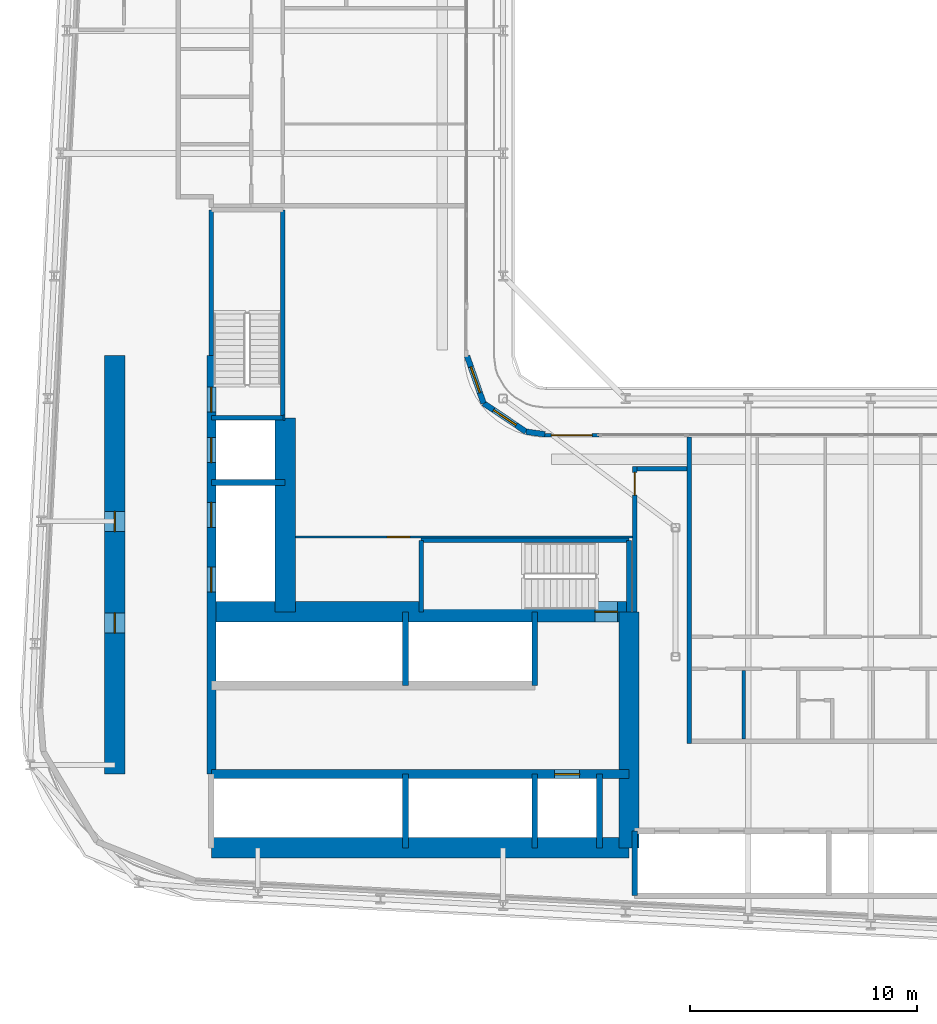
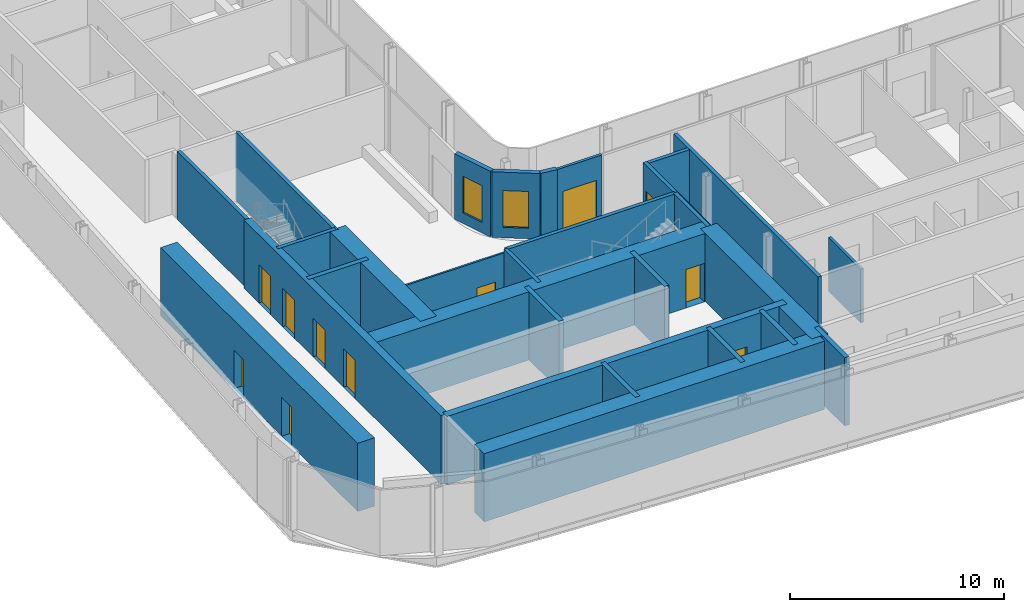
# One storey, part 13 of 28: 30 walls, 11 doors, 2 windows, 13 openings.
"""IFC4 building model written with IfcOpenShell, lengths in metres."""

from ifc_helpers import new_model, si_unit, direction, frame, frame_2d, origin, place, context, subcontext, project, spatial, rectangle, extrude, source, transform, mapped, material, layer, layer_set, type_object, element, fill, save


model = new_model("IFC4")

# Units and contexts
model_context = context("Model", 3, precision=1e-05, world=origin(), true_north=direction((0.0, 1.0)))
body_context = subcontext(model_context, "Body", "Model", "MODEL_VIEW")
ifc_project = project(units=[si_unit("LENGTHUNIT", "METRE"), si_unit("AREAUNIT", "SQUARE_METRE"), si_unit("VOLUMEUNIT", "CUBIC_METRE"), si_unit("PLANEANGLEUNIT", "RADIAN"), si_unit("MASSUNIT", "GRAM", prefix="KILO")], contexts=[model_context])

# Site, building, storey
site_placement = place(None, origin())
site = spatial("IfcSite", under=ifc_project, at=site_placement, CompositionType="ELEMENT")
building_placement = place(site_placement, origin())
building = spatial("IfcBuilding", under=site, at=building_placement, Name="Kheshtan School and Residences Tower", CompositionType="ELEMENT")
storey_placement = place(building_placement, frame((0.0, 0.0, 140.89990234375)))
storey = spatial("IfcBuildingStorey", under=building, at=storey_placement, Name="L33", CompositionType="ELEMENT", Elevation=140.89990234375)

# Wall, opening, door
ifc_material_1 = material(Name="Concrete C50/60", Category="concrete")
ifc_layer_1 = layer(ifc_material_1, 0.39990234375)
ifc_layer_set_1 = layer_set([ifc_layer_1], Name="Core wall 400 Concrete C50/60")
wall_type_1 = type_object("IfcWallType", Name="Core wall 400 Concrete C50/60", PredefinedType="SHEAR", material=ifc_layer_set_1)
wall_1_placement = place(storey_placement, frame((34.75, 29.050048828125, 0.0), z_axis=(0.0, 0.0, 1.0), x_axis=(1.0, 0.0, 0.0)))
wall_1 = element("IfcWall", 1, at=wall_1_placement, inside=storey, type_object=wall_type_1, Name="Core wall CW-HALL-S1", PredefinedType="SHEAR", context=body_context, shape_type="SweptSolid", body=[
    extrude(rectangle(XDim=18.39990234375, YDim=0.39990234375, at=frame_2d((9.199951171875, 0.0))), origin(), (0.0, 0.0, 1.0), 3.900146484375),
])
opening_1_placement = place(wall_1_placement, frame((15.125, 0.0, 0.0)))
opening_1 = element("IfcOpeningElement", 2, at=opening_1_placement, cuts=wall_1, Name="Opening LD", PredefinedType="OPENING", context=body_context, shape_type="SweptSolid", body=[
    extrude(rectangle(XDim=1.10009765625, YDim=2.199951171875, at=frame_2d((0.550048828125, 1.10009765625))), frame((0.0, 0.2099609375, 0.0), z_axis=(0.0, -1.0, 0.0), x_axis=(1.0, 0.0, 0.0)), (0.0, 0.0, 1.0), 0.419921875),
])
ifc_material_2 = material(Name="Stainless steel door leaves", Category="steel")
door_type_1 = type_object("IfcDoorType", Name="Lift landing door 1100", OperationType="SLIDING_TO_LEFT", PredefinedType="DOOR", material=ifc_material_2)
shared_shape_1 = source(origin(), body_context, "Body", "SweptSolid", [
    extrude(rectangle(XDim=1.10009765625, YDim=2.199951171875, at=frame_2d((0.550048828125, 1.10009765625))), frame((0.0, 0.02490234375, 0.0), z_axis=(0.0, -1.0, 0.0), x_axis=(1.0, 0.0, 0.0)), (0.0, 0.0, 1.0), 0.050048828125),
])
door_1_placement = place(opening_1_placement, origin())
door_1 = element("IfcDoor", 3, at=door_1_placement, inside=storey, type_object=door_type_1, Name="Lift FFL2 landing door", OperationType="SLIDING_TO_LEFT", OverallHeight=2.199951171875, OverallWidth=1.10009765625, PredefinedType="DOOR", context=body_context, shape_type="MappedRepresentation", body=[
    mapped(shared_shape_1, transform((0.0, 0.0, 0.0), x_axis=(1.0, 0.0, 0.0), y_axis=(0.0, 1.0, 0.0), z_axis=(0.0, 0.0, 1.0), scale=1.0)),
])
fill(opening_1, door_1)

# Wall, openings, doors
wall_2_placement = place(storey_placement, frame((34.75, 29.050048828125, 0.0), z_axis=(0.0, 0.0, 1.0), x_axis=(0.0, 1.0, 0.0)))
wall_2 = element("IfcWall", 4, at=wall_2_placement, inside=storey, type_object=wall_type_1, Name="Core wall CW-HALL-W1", PredefinedType="SHEAR", context=body_context, shape_type="SweptSolid", body=[
    extrude(rectangle(XDim=18.449951171875, YDim=0.39990234375, at=frame_2d((9.22509765625, 0.0))), origin(), (0.0, 0.0, 1.0), 3.900146484375),
])
opening_2_placement = place(wall_2_placement, frame((8.02490234375, 0.0, 0.0)))
opening_2 = element("IfcOpeningElement", 5, at=opening_2_placement, cuts=wall_2, Name="Opening LD", PredefinedType="OPENING", context=body_context, shape_type="SweptSolid", body=[
    extrude(rectangle(XDim=1.10009765625, YDim=2.199951171875, at=frame_2d((0.550048828125, 1.10009765625))), frame((0.0, 0.2099609375, 0.0), z_axis=(0.0, -1.0, 0.0), x_axis=(1.0, 0.0, 0.0)), (0.0, 0.0, 1.0), 0.419921875),
])
opening_3_placement = place(wall_2_placement, frame((10.875, 0.0, 0.0)))
opening_3 = element("IfcOpeningElement", 6, at=opening_3_placement, cuts=wall_2, Name="Opening LD", PredefinedType="OPENING", context=body_context, shape_type="SweptSolid", body=[
    extrude(rectangle(XDim=1.10009765625, YDim=2.199951171875, at=frame_2d((0.550048828125, 1.10009765625))), frame((0.0, 0.2099609375, 0.0), z_axis=(0.0, -1.0, 0.0), x_axis=(1.0, 0.0, 0.0)), (0.0, 0.0, 1.0), 0.419921875),
])
opening_4_placement = place(wall_2_placement, frame((13.72509765625, 0.0, 0.0)))
opening_4 = element("IfcOpeningElement", 7, at=opening_4_placement, cuts=wall_2, Name="Opening LD", PredefinedType="OPENING", context=body_context, shape_type="SweptSolid", body=[
    extrude(rectangle(XDim=1.10009765625, YDim=2.199951171875, at=frame_2d((0.550048828125, 1.10009765625))), frame((0.0, 0.2099609375, 0.0), z_axis=(0.0, -1.0, 0.0), x_axis=(1.0, 0.0, 0.0)), (0.0, 0.0, 1.0), 0.419921875),
])
opening_5_placement = place(wall_2_placement, frame((15.949951171875, 0.0, 0.0)))
opening_5 = element("IfcOpeningElement", 8, at=opening_5_placement, cuts=wall_2, Name="Opening ST2D", PredefinedType="OPENING", context=body_context, shape_type="SweptSolid", body=[
    extrude(rectangle(XDim=1.10009765625, YDim=2.199951171875, at=frame_2d((0.550048828125, 1.10009765625))), frame((0.0, 0.2099609375, 0.0), z_axis=(0.0, -1.0, 0.0), x_axis=(1.0, 0.0, 0.0)), (0.0, 0.0, 1.0), 0.419921875),
])
door_2_placement = place(opening_2_placement, origin())
door_2 = element("IfcDoor", 9, at=door_2_placement, inside=storey, type_object=door_type_1, Name="Lift SV1 landing door", OperationType="SLIDING_TO_LEFT", OverallHeight=2.199951171875, OverallWidth=1.10009765625, PredefinedType="DOOR", context=body_context, shape_type="MappedRepresentation", body=[
    mapped(shared_shape_1, transform((0.0, 0.0, 0.0), x_axis=(1.0, 0.0, 0.0), y_axis=(0.0, 1.0, 0.0), z_axis=(0.0, 0.0, 1.0), scale=1.0)),
])
fill(opening_2, door_2)
door_3_placement = place(opening_3_placement, origin())
door_3 = element("IfcDoor", 10, at=door_3_placement, inside=storey, type_object=door_type_1, Name="Lift SV2 landing door", OperationType="SLIDING_TO_LEFT", OverallHeight=2.199951171875, OverallWidth=1.10009765625, PredefinedType="DOOR", context=body_context, shape_type="MappedRepresentation", body=[
    mapped(shared_shape_1, transform((0.0, 0.0, 0.0), x_axis=(1.0, 0.0, 0.0), y_axis=(0.0, 1.0, 0.0), z_axis=(0.0, 0.0, 1.0), scale=1.0)),
])
fill(opening_3, door_3)
door_4_placement = place(opening_4_placement, origin())
door_4 = element("IfcDoor", 11, at=door_4_placement, inside=storey, type_object=door_type_1, Name="Lift FFL1 landing door", OperationType="SLIDING_TO_LEFT", OverallHeight=2.199951171875, OverallWidth=1.10009765625, PredefinedType="DOOR", context=body_context, shape_type="MappedRepresentation", body=[
    mapped(shared_shape_1, transform((0.0, 0.0, 0.0), x_axis=(1.0, 0.0, 0.0), y_axis=(0.0, 1.0, 0.0), z_axis=(0.0, 0.0, 1.0), scale=1.0)),
])
fill(opening_4, door_4)
ifc_material_3 = material(Name="Steel door leaf, galvanised", Category="steel")
door_type_2 = type_object("IfcDoorType", Name="Stair door 1100 steel 90 min", OperationType="SINGLE_SWING_LEFT", PredefinedType="DOOR", material=ifc_material_3)
shared_shape_2 = source(origin(), body_context, "Body", "SweptSolid", [
    extrude(rectangle(XDim=1.10009765625, YDim=2.199951171875, at=frame_2d((0.550048828125, 1.10009765625))), frame((0.0, 0.02490234375, 0.0), z_axis=(0.0, -1.0, 0.0), x_axis=(1.0, 0.0, 0.0)), (0.0, 0.0, 1.0), 0.050048828125),
])
door_5_placement = place(opening_5_placement, origin())
door_5 = element("IfcDoor", 12, at=door_5_placement, inside=storey, type_object=door_type_2, Name="Stair ST2 door", OperationType="SINGLE_SWING_RIGHT", OverallHeight=2.199951171875, OverallWidth=1.10009765625, PredefinedType="DOOR", context=body_context, shape_type="MappedRepresentation", body=[
    mapped(shared_shape_2, transform((0.0, 0.0, 0.0), x_axis=(1.0, 0.0, 0.0), y_axis=(0.0, 1.0, 0.0), z_axis=(0.0, 0.0, 1.0), scale=1.0)),
])
fill(opening_5, door_5)

# Wall
ifc_material_4 = material(Name="Concrete C80/95", Category="concrete")
ifc_layer_2 = layer(ifc_material_4, 0.89990234375)
ifc_layer_set_2 = layer_set([ifc_layer_2], Name="Core wall 900 Concrete C80/95")
wall_type_2 = type_object("IfcWallType", Name="Core wall 900 Concrete C80/95", PredefinedType="SHEAR", material=ifc_layer_set_2)
wall_3_placement = place(storey_placement, frame((34.75, 25.800048828125, 0.0), z_axis=(0.0, 0.0, 1.0), x_axis=(1.0, 0.0, 0.0)))
element("IfcWall", 13, at=wall_3_placement, inside=storey, type_object=wall_type_2, Name="Core wall CW-REAR-S", PredefinedType="SHEAR", context=body_context, shape_type="SweptSolid", body=[
    extrude(rectangle(XDim=18.39990234375, YDim=0.89990234375, at=frame_2d((9.199951171875, 0.0))), origin(), (0.0, 0.0, 1.0), 3.900146484375),
])

# Wall, opening, door
wall_4_placement = place(storey_placement, frame((34.75, 36.199951171875, 0.0), z_axis=(0.0, 0.0, 1.0), x_axis=(1.0, 0.0, 0.0)))
wall_4 = element("IfcWall", 14, at=wall_4_placement, inside=storey, type_object=wall_type_2, Name="Core wall CW-FRONT-S", PredefinedType="SHEAR", context=body_context, shape_type="SweptSolid", body=[
    extrude(rectangle(XDim=18.39990234375, YDim=0.89990234375, at=frame_2d((9.199951171875, 0.0))), origin(), (0.0, 0.0, 1.0), 3.900146484375),
])
opening_6_placement = place(wall_4_placement, frame((16.89990234375, 0.0, 0.0)))
opening_6 = element("IfcOpeningElement", 15, at=opening_6_placement, cuts=wall_4, Name="Opening ST1D", PredefinedType="OPENING", context=body_context, shape_type="SweptSolid", body=[
    extrude(rectangle(XDim=1.0, YDim=2.199951171875, at=frame_2d((0.5, 1.10009765625))), frame((0.0, 0.4599609375, 0.0), z_axis=(0.0, -1.0, 0.0), x_axis=(1.0, 0.0, 0.0)), (0.0, 0.0, 1.0), 0.919921875),
])
shared_shape_3 = source(origin(), body_context, "Body", "SweptSolid", [
    extrude(rectangle(XDim=1.0, YDim=2.199951171875, at=frame_2d((0.5, 1.10009765625))), frame((0.0, 0.02490234375, 0.0), z_axis=(0.0, -1.0, 0.0), x_axis=(1.0, 0.0, 0.0)), (0.0, 0.0, 1.0), 0.050048828125),
])
door_6_placement = place(opening_6_placement, origin())
door_6 = element("IfcDoor", 16, at=door_6_placement, inside=storey, type_object=door_type_2, Name="Stair ST1 door", OperationType="SINGLE_SWING_RIGHT", OverallHeight=2.199951171875, OverallWidth=1.0, PredefinedType="DOOR", context=body_context, shape_type="MappedRepresentation", body=[
    mapped(shared_shape_3, transform((0.0, 0.0, 0.0), x_axis=(1.0, 0.0, 0.0), y_axis=(0.0, 1.0, 0.0), z_axis=(0.0, 0.0, 1.0), scale=1.0)),
])
fill(opening_6, door_6)

# Wall
wall_5_placement = place(storey_placement, frame((38.0, 36.199951171875, 0.0), z_axis=(0.0, 0.0, 1.0), x_axis=(0.0, 1.0, 0.0)))
element("IfcWall", 17, at=wall_5_placement, inside=storey, type_object=wall_type_2, Name="Core wall CW-FRONT-W", PredefinedType="SHEAR", context=body_context, shape_type="SweptSolid", body=[
    extrude(rectangle(XDim=8.550048828125, YDim=0.89990234375, at=frame_2d((4.27490234375, 0.0))), origin(), (0.0, 0.0, 1.0), 3.900146484375),
])

# Wall, openings, doors
wall_6_placement = place(storey_placement, frame((30.5, 29.050048828125, 0.0), z_axis=(0.0, 0.0, 1.0), x_axis=(0.0, 1.0, 0.0)))
wall_6 = element("IfcWall", 18, at=wall_6_placement, inside=storey, type_object=wall_type_2, Name="Core wall CW-REAR-W", PredefinedType="SHEAR", context=body_context, shape_type="SweptSolid", body=[
    extrude(rectangle(XDim=18.449951171875, YDim=0.89990234375, at=frame_2d((9.22509765625, 0.0))), origin(), (0.0, 0.0, 1.0), 3.900146484375),
])
opening_7_placement = place(wall_6_placement, frame((6.2099609375, 0.0, 0.0)))
opening_7 = element("IfcOpeningElement", 19, at=opening_7_placement, cuts=wall_6, Name="Opening SR90", PredefinedType="OPENING", context=body_context, shape_type="SweptSolid", body=[
    extrude(rectangle(XDim=0.89990234375, YDim=2.199951171875, at=frame_2d((0.449951171875, 1.10009765625))), frame((0.0, 0.4599609375, 0.0), z_axis=(0.0, -1.0, 0.0), x_axis=(1.0, 0.0, 0.0)), (0.0, 0.0, 1.0), 0.919921875),
])
opening_8_placement = place(wall_6_placement, frame((10.68408203125, 0.0, 0.0)))
opening_8 = element("IfcOpeningElement", 20, at=opening_8_placement, cuts=wall_6, Name="Opening SR90", PredefinedType="OPENING", context=body_context, shape_type="SweptSolid", body=[
    extrude(rectangle(XDim=0.89990234375, YDim=2.199951171875, at=frame_2d((0.449951171875, 1.10009765625))), frame((0.0, 0.4599609375, 0.0), z_axis=(0.0, -1.0, 0.0), x_axis=(1.0, 0.0, 0.0)), (0.0, 0.0, 1.0), 0.919921875),
])
door_type_3 = type_object("IfcDoorType", Name="Service room door 900 steel 90 min", OperationType="SINGLE_SWING_LEFT", PredefinedType="DOOR", material=ifc_material_3)
shared_shape_4 = source(origin(), body_context, "Body", "SweptSolid", [
    extrude(rectangle(XDim=0.89990234375, YDim=2.199951171875, at=frame_2d((0.449951171875, 1.10009765625))), frame((0.0, 0.02490234375, 0.0), z_axis=(0.0, -1.0, 0.0), x_axis=(1.0, 0.0, 0.0)), (0.0, 0.0, 1.0), 0.050048828125),
])
door_7_placement = place(opening_7_placement, origin())
door_7 = element("IfcDoor", 21, at=door_7_placement, inside=storey, type_object=door_type_3, Name="Service room door", OperationType="SINGLE_SWING_RIGHT", OverallHeight=2.199951171875, OverallWidth=0.89990234375, PredefinedType="DOOR", context=body_context, shape_type="MappedRepresentation", body=[
    mapped(shared_shape_4, transform((0.0, 0.0, 0.0), x_axis=(1.0, 0.0, 0.0), y_axis=(0.0, 1.0, 0.0), z_axis=(0.0, 0.0, 1.0), scale=1.0)),
])
fill(opening_7, door_7)
door_8_placement = place(opening_8_placement, origin())
door_8 = element("IfcDoor", 22, at=door_8_placement, inside=storey, type_object=door_type_3, Name="Service room door", OperationType="SINGLE_SWING_LEFT", OverallHeight=2.199951171875, OverallWidth=0.89990234375, PredefinedType="DOOR", context=body_context, shape_type="MappedRepresentation", body=[
    mapped(shared_shape_4, transform((0.0, 0.0, 0.0), x_axis=(1.0, 0.0, 0.0), y_axis=(0.0, 1.0, 0.0), z_axis=(0.0, 0.0, 1.0), scale=1.0)),
])
fill(opening_8, door_8)

# Wall
wall_7_placement = place(storey_placement, frame((53.14990234375, 25.800048828125, 0.0), z_axis=(0.0, 0.0, 1.0), x_axis=(0.0, 1.0, 0.0)))
element("IfcWall", 23, at=wall_7_placement, inside=storey, type_object=wall_type_2, Name="Core wall CW-EAST", PredefinedType="SHEAR", context=body_context, shape_type="SweptSolid", body=[
    extrude(rectangle(XDim=10.39990234375, YDim=0.89990234375, at=frame_2d((5.199951171875, 0.0))), origin(), (0.0, 0.0, 1.0), 3.900146484375),
])

# Wall, opening, door
ifc_material_5 = material(Name="Gypsum board on steel studs with fire boards", Category="steel")
ifc_layer_3 = layer(ifc_material_5, 0.199951171875)
ifc_layer_set_3 = layer_set([ifc_layer_3], Name="Corridor wall 200")
wall_type_3 = type_object("IfcWallType", Name="Corridor wall 200", PredefinedType="PARTITIONING", material=ifc_layer_set_3)
wall_8_placement = place(storey_placement, frame((53.39990234375, 36.198974609375, 0.0), z_axis=(0.0, 0.0, 1.0), x_axis=(0.0, 1.0, 0.0)))
wall_8 = element("IfcWall", 24, at=wall_8_placement, inside=storey, type_object=wall_type_3, Name="Partition L33-043", PredefinedType="PARTITIONING", context=body_context, shape_type="SweptSolid", body=[
    extrude(rectangle(XDim=6.401123046875, YDim=0.199951171875, at=frame_2d((3.20068359375, 0.0))), origin(), (0.0, 0.0, 1.0), 3.60009765625),
])
opening_9_placement = place(wall_8_placement, frame((5.15087890625, 0.0, 0.0)))
opening_9 = element("IfcOpeningElement", 25, at=opening_9_placement, cuts=wall_8, Name="Opening D32-064", PredefinedType="OPENING", context=body_context, shape_type="SweptSolid", body=[
    extrude(rectangle(XDim=1.0, YDim=2.10009765625, at=frame_2d((0.5, 1.050048828125))), frame((0.0, 0.10986328125, 0.0), z_axis=(0.0, -1.0, 0.0), x_axis=(1.0, 0.0, 0.0)), (0.0, 0.0, 1.0), 0.219970703125),
])
ifc_material_6 = material(Name="Steel-framed fire-resisting door leaf", Category="steel")
door_type_4 = type_object("IfcDoorType", Name="Fire door FD60 1000 x 2100", OperationType="SINGLE_SWING_LEFT", PredefinedType="DOOR", material=ifc_material_6)
shared_shape_5 = source(origin(), body_context, "Body", "SweptSolid", [
    extrude(rectangle(XDim=1.0, YDim=2.10009765625, at=frame_2d((0.5, 1.050048828125))), frame((0.0, 0.02490234375, 0.0), z_axis=(0.0, -1.0, 0.0), x_axis=(1.0, 0.0, 0.0)), (0.0, 0.0, 1.0), 0.050048828125),
])
door_9_placement = place(opening_9_placement, origin())
door_9 = element("IfcDoor", 26, at=door_9_placement, inside=storey, type_object=door_type_4, Name="Door D32-064", OperationType="SINGLE_SWING_RIGHT", OverallHeight=2.10009765625, OverallWidth=1.0, PredefinedType="DOOR", context=body_context, shape_type="MappedRepresentation", body=[
    mapped(shared_shape_5, transform((0.0, 0.0, 0.0), x_axis=(1.0, 0.0, 0.0), y_axis=(0.0, 1.0, 0.0), z_axis=(0.0, 0.0, 1.0), scale=1.0)),
])
fill(opening_9, door_9)

# Wall
wall_9_placement = place(storey_placement, frame((53.5, 42.5, 0.0), z_axis=(0.0, 0.0, 1.0), x_axis=(1.0, 0.0, 0.0)))
element("IfcWall", 27, at=wall_9_placement, inside=storey, type_object=wall_type_3, Name="Partition L33-044", PredefinedType="PARTITIONING", context=body_context, shape_type="SweptSolid", body=[
    extrude(rectangle(XDim=2.199951171875, YDim=0.199951171875, at=frame_2d((1.10009765625, 0.0))), origin(), (0.0, 0.0, 1.0), 3.60009765625),
])

# Wall, opening, window
ifc_material_7 = material(Name="Concrete C40/50 with ceramic cladding and mineral wool insulation", Category="concrete")
ifc_layer_4 = layer(ifc_material_7, 0.25)
ifc_layer_set_4 = layer_set([ifc_layer_4], Name="External wall 250 ceramic clad")
wall_type_4 = type_object("IfcWallType", Name="External wall 250 ceramic clad", PredefinedType="SOLIDWALL", material=ifc_layer_set_4)
wall_10_placement = place(storey_placement, frame((46.01806640625, 47.470947265625, 0.0), z_axis=(0.0, 0.0, 1.0), x_axis=(0.328791208903, -0.944402637093, 0.0)))
wall_10 = element("IfcWall", 28, at=wall_10_placement, inside=storey, type_object=wall_type_4, Name="External wall L33 9", PredefinedType="SOLIDWALL", context=body_context, shape_type="SweptSolid", body=[
    extrude(rectangle(XDim=2.20458984375, YDim=0.25, at=frame_2d((1.102294921875, 0.0))), origin(), (0.0, 0.0, 1.0), 3.75),
])
opening_10_placement = place(wall_10_placement, frame((0.5029296875, 0.0, 0.60009765625)))
opening_10 = element("IfcOpeningElement", 29, at=opening_10_placement, cuts=wall_10, Name="Opening WN-E", PredefinedType="OPENING", context=body_context, shape_type="SweptSolid", body=[
    extrude(rectangle(XDim=1.199951171875, YDim=2.10009765625, at=frame_2d((0.60009765625, 1.050048828125))), frame((0.0, 0.135009765625, 0.0), z_axis=(0.0, -1.0, 0.0), x_axis=(1.0, 0.0, 0.0)), (0.0, 0.0, 1.0), 0.27001953125),
])
ifc_material_8 = material(Name="Clear low-e glass in thermally broken aluminium frame", Category="aluminium")
window_type = type_object("IfcWindowType", Name="Window WN-E", PartitioningType="SINGLE_PANEL", PredefinedType="WINDOW", material=ifc_material_8)
shared_shape_6 = source(origin(), body_context, "Body", "SweptSolid", [
    extrude(rectangle(XDim=1.199951171875, YDim=2.10009765625, at=frame_2d((0.60009765625, 1.050048828125))), frame((0.0, 0.030029296875, 0.0), z_axis=(0.0, -1.0, 0.0), x_axis=(1.0, 0.0, 0.0)), (0.0, 0.0, 1.0), 0.06005859375),
])
window_1_placement = place(opening_10_placement, origin())
window_1 = element("IfcWindow", 30, at=window_1_placement, inside=storey, type_object=window_type, Name="Window L33 9", OverallHeight=2.10009765625, OverallWidth=1.199951171875, PartitioningType="SINGLE_PANEL", PredefinedType="WINDOW", context=body_context, shape_type="MappedRepresentation", body=[
    mapped(shared_shape_6, transform((0.0, 0.0, 0.0), x_axis=(1.0, 0.0, 0.0), y_axis=(0.0, 1.0, 0.0), z_axis=(0.0, 0.0, 1.0), scale=1.0)),
])
fill(opening_10, window_1)

wall_11_placement = place(storey_placement, frame((46.742919921875, 45.388916015625, 0.0), z_axis=(0.0, 0.0, 1.0), x_axis=(0.831449265529, -0.555600682912, 0.0)))
wall_11 = element("IfcWall", 31, at=wall_11_placement, inside=storey, type_object=wall_type_4, Name="External wall L33 10", PredefinedType="SOLIDWALL", context=body_context, shape_type="SweptSolid", body=[
    extrude(rectangle(XDim=2.25146484375, YDim=0.25, at=frame_2d((1.125732421875, 0.0))), origin(), (0.0, 0.0, 1.0), 3.75),
])
opening_11_placement = place(wall_11_placement, frame((0.52490234375, 0.0, 0.60009765625)))
opening_11 = element("IfcOpeningElement", 32, at=opening_11_placement, cuts=wall_11, Name="Opening WN-E", PredefinedType="OPENING", context=body_context, shape_type="SweptSolid", body=[
    extrude(rectangle(XDim=1.199951171875, YDim=2.10009765625, at=frame_2d((0.60009765625, 1.050048828125))), frame((0.0, 0.135009765625, 0.0), z_axis=(0.0, -1.0, 0.0), x_axis=(1.0, 0.0, 0.0)), (0.0, 0.0, 1.0), 0.27001953125),
])
window_2_placement = place(opening_11_placement, origin())
window_2 = element("IfcWindow", 33, at=window_2_placement, inside=storey, type_object=window_type, Name="Window L33 10", OverallHeight=2.10009765625, OverallWidth=1.199951171875, PartitioningType="SINGLE_PANEL", PredefinedType="WINDOW", context=body_context, shape_type="MappedRepresentation", body=[
    mapped(shared_shape_6, transform((0.0, 0.0, 0.0), x_axis=(1.0, 0.0, 0.0), y_axis=(0.0, 1.0, 0.0), z_axis=(0.0, 0.0, 1.0), scale=1.0)),
])
fill(opening_11, window_2)

# Wall
wall_12_placement = place(storey_placement, frame((48.614990234375, 44.137939453125, 0.0), z_axis=(0.0, 0.0, 1.0), x_axis=(0.990741504246, -0.135761819977, 0.0)))
element("IfcWall", 34, at=wall_12_placement, inside=storey, type_object=wall_type_4, Name="External wall L33 11", PredefinedType="SOLIDWALL", context=body_context, shape_type="SweptSolid", body=[
    extrude(rectangle(XDim=0.83984375, YDim=0.25, at=frame_2d((0.419921875, 0.0))), origin(), (0.0, 0.0, 1.0), 3.75),
])

# Wall, opening, door
ifc_material_9 = material(Name="Aluminium frame wall with insulated infill", Category="aluminium")
ifc_layer_5 = layer(ifc_material_9, 0.14990234375)
ifc_layer_set_5 = layer_set([ifc_layer_5], Name="Glazing frame wall 150")
wall_type_5 = type_object("IfcWallType", Name="Glazing frame wall 150", PredefinedType="SOLIDWALL", material=ifc_layer_set_5)
wall_13_placement = place(storey_placement, frame((49.429931640625, 43.97509765625, 0.0), z_axis=(0.0, 0.0, 1.0), x_axis=(1.0, 0.0, 0.0)))
wall_13 = element("IfcWall", 35, at=wall_13_placement, inside=storey, type_object=wall_type_5, Name="Balcony door wall L33 12.1", PredefinedType="SOLIDWALL", context=body_context, shape_type="SweptSolid", body=[
    extrude(rectangle(XDim=2.400146484375, YDim=0.14990234375, at=frame_2d((1.2001953125, 0.0))), origin(), (0.0, 0.0, 1.0), 3.75),
])
opening_12_placement = place(wall_13_placement, frame((0.300048828125, 0.0, 0.0)))
opening_12 = element("IfcOpeningElement", 36, at=opening_12_placement, cuts=wall_13, Name="Opening BD", PredefinedType="OPENING", context=body_context, shape_type="SweptSolid", body=[
    extrude(rectangle(XDim=1.800048828125, YDim=2.39990234375, at=frame_2d((0.89990234375, 1.199951171875))), frame((0.0, 0.0849609375, 0.0), z_axis=(0.0, -1.0, 0.0), x_axis=(1.0, 0.0, 0.0)), (0.0, 0.0, 1.0), 0.169921875),
])
door_type_5 = type_object("IfcDoorType", Name="Balcony sliding door", OperationType="SLIDING_TO_LEFT", PredefinedType="DOOR", material=ifc_material_8)
shared_shape_7 = source(origin(), body_context, "Body", "SweptSolid", [
    extrude(rectangle(XDim=1.800048828125, YDim=2.39990234375, at=frame_2d((0.89990234375, 1.199951171875))), frame((0.0, 0.02490234375, 0.0), z_axis=(0.0, -1.0, 0.0), x_axis=(1.0, 0.0, 0.0)), (0.0, 0.0, 1.0), 0.050048828125),
])
door_10_placement = place(opening_12_placement, origin())
door_10 = element("IfcDoor", 37, at=door_10_placement, inside=storey, type_object=door_type_5, Name="Balcony door L33 12.1", OperationType="SLIDING_TO_LEFT", OverallHeight=2.39990234375, OverallWidth=1.800048828125, PredefinedType="DOOR", context=body_context, shape_type="MappedRepresentation", body=[
    mapped(shared_shape_7, transform((0.0, 0.0, 0.0), x_axis=(1.0, 0.0, 0.0), y_axis=(0.0, 1.0, 0.0), z_axis=(0.0, 0.0, 1.0), scale=1.0)),
])
fill(opening_12, door_10)

ifc_material_10 = material(Name="Gypsum board on steel studs", Category="steel")
ifc_layer_6 = layer(ifc_material_10, 0.10009765625)
ifc_layer_set_6 = layer_set([ifc_layer_6], Name="Gypsum partition 100")
wall_type_6 = type_object("IfcWallType", Name="Gypsum partition 100", PredefinedType="PARTITIONING", material=ifc_layer_set_6)
wall_14_placement = place(storey_placement, frame((38.448974609375, 39.5, 0.0), z_axis=(0.0, 0.0, 1.0), x_axis=(1.0, 0.0, 0.0)))
wall_14 = element("IfcWall", 38, at=wall_14_placement, inside=storey, type_object=wall_type_6, Name="Partition L33-040", PredefinedType="PARTITIONING", context=body_context, shape_type="SweptSolid", body=[
    extrude(rectangle(XDim=14.85107421875, YDim=0.10009765625, at=frame_2d((7.425537109375, 0.0))), origin(), (0.0, 0.0, 1.0), 3.60009765625),
])
opening_13_placement = place(wall_14_placement, frame((4.047119140625, 0.0, 0.0)))
opening_13 = element("IfcOpeningElement", 39, at=opening_13_placement, cuts=wall_14, Name="Opening D32-063", PredefinedType="OPENING", context=body_context, shape_type="SweptSolid", body=[
    extrude(rectangle(XDim=1.0, YDim=2.10009765625, at=frame_2d((0.5, 1.050048828125))), frame((0.0, 0.06005859375, 0.0), z_axis=(0.0, -1.0, 0.0), x_axis=(1.0, 0.0, 0.0)), (0.0, 0.0, 1.0), 0.1201171875),
])
ifc_material_11 = material(Name="Veneered timber door leaf", Category="wood")
door_type_6 = type_object("IfcDoorType", Name="Door 1000 x 2100", OperationType="SINGLE_SWING_LEFT", PredefinedType="DOOR", material=ifc_material_11)
shared_shape_8 = source(origin(), body_context, "Body", "SweptSolid", [
    extrude(rectangle(XDim=1.0, YDim=2.10009765625, at=frame_2d((0.5, 1.050048828125))), frame((0.0, 0.02490234375, 0.0), z_axis=(0.0, -1.0, 0.0), x_axis=(1.0, 0.0, 0.0)), (0.0, 0.0, 1.0), 0.050048828125),
])
door_11_placement = place(opening_13_placement, origin())
door_11 = element("IfcDoor", 40, at=door_11_placement, inside=storey, type_object=door_type_6, Name="Door D32-063", OperationType="SINGLE_SWING_LEFT", OverallHeight=2.10009765625, OverallWidth=1.0, PredefinedType="DOOR", context=body_context, shape_type="MappedRepresentation", body=[
    mapped(shared_shape_8, transform((0.0, 0.0, 0.0), x_axis=(1.0, 0.0, 0.0), y_axis=(0.0, 1.0, 0.0), z_axis=(0.0, 0.0, 1.0), scale=1.0)),
])
fill(opening_13, door_11)

# Walls
ifc_material_12 = material(Name="Fire-board shaft wall system")
ifc_layer_7 = layer(ifc_material_12, 0.25)
ifc_layer_set_7 = layer_set([ifc_layer_7], Name="Shaft lining wall 250")
wall_type_7 = type_object("IfcWallType", Name="Shaft lining wall 250", PredefinedType="PARTITIONING", material=ifc_layer_set_7)
for number, where, z_axis, x_axis, name in (
    (41, (43.300048828125, 25.800048828125, 0.0), (0.0, 0.0, 1.0), (0.0, 1.0, 0.0), "Shaft lining wall"),
    (42, (43.300048828125, 32.949951171875, 0.0), (0.0, 0.0, 1.0), (0.0, 1.0, 0.0), "Shaft lining wall"),
    (43, (49.0, 25.800048828125, 0.0), (0.0, 0.0, 1.0), (0.0, 1.0, 0.0), "Shaft lining wall"),
    (44, (49.0, 32.949951171875, 0.0), (0.0, 0.0, 1.0), (0.0, 1.0, 0.0), "Shaft lining wall"),
    (45, (51.85009765625, 25.800048828125, 0.0), (0.0, 0.0, 1.0), (0.0, 1.0, 0.0), "Shaft lining wall"),
):
    element("IfcWall", number, at=place(storey_placement, frame(where, z_axis=z_axis, x_axis=x_axis)), inside=storey, type_object=wall_type_7, Name=name, PredefinedType="PARTITIONING", context=body_context, shape_type="SweptSolid", body=[
        extrude(rectangle(XDim=3.25, YDim=0.25, at=frame_2d((1.625, 0.0))), origin(), (0.0, 0.0, 1.0), 3.900146484375),
    ])
wall_15_placement = place(storey_placement, frame((53.39990234375, 23.699951171875, 0.0), z_axis=(0.0, 0.0, 1.0), x_axis=(0.0, 1.0, 0.0)))
element("IfcWall", 46, at=wall_15_placement, inside=storey, type_object=wall_type_7, Name="Shaft lining wall", PredefinedType="PARTITIONING", context=body_context, shape_type="SweptSolid", body=[
    extrude(rectangle(XDim=2.85009765625, YDim=0.25, at=frame_2d((1.425048828125, 0.0))), origin(), (0.0, 0.0, 1.0), 3.900146484375),
])
wall_16_placement = place(storey_placement, frame((34.75, 41.89990234375, 0.0), z_axis=(0.0, 0.0, 1.0), x_axis=(1.0, 0.0, 0.0)))
element("IfcWall", 47, at=wall_16_placement, inside=storey, type_object=wall_type_7, Name="Shaft lining wall", PredefinedType="PARTITIONING", context=body_context, shape_type="SweptSolid", body=[
    extrude(rectangle(XDim=3.25, YDim=0.25, at=frame_2d((1.625, 0.0))), origin(), (0.0, 0.0, 1.0), 3.900146484375),
])
wall_17_placement = place(storey_placement, frame((37.89990234375, 44.75, 0.0), z_axis=(0.0, 0.0, 1.0), x_axis=(1.0, 0.0, 0.0)))
element("IfcWall", 48, at=wall_17_placement, inside=storey, type_object=wall_type_7, Name="Shaft lining wall", PredefinedType="PARTITIONING", context=body_context, shape_type="SweptSolid", body=[
    extrude(rectangle(XDim=0.10009765625, YDim=0.25, at=frame_2d((0.050048828125, 0.0))), origin(), (0.0, 0.0, 1.0), 3.900146484375),
])
ifc_material_13 = material(Name="Concrete C40/50", Category="concrete")
ifc_layer_8 = layer(ifc_material_13, 0.199951171875)
ifc_layer_set_8 = layer_set([ifc_layer_8], Name="Stair enclosure wall 200 Concrete C40/50")
wall_type_8 = type_object("IfcWallType", Name="Stair enclosure wall 200 Concrete C40/50", PredefinedType="SHEAR", material=ifc_layer_set_8)
wall_18_placement = place(storey_placement, frame((43.989990234375, 39.35009765625, 0.0), z_axis=(0.0, 0.0, 1.0), x_axis=(1.0, 0.0, 0.0)))
element("IfcWall", 49, at=wall_18_placement, inside=storey, type_object=wall_type_8, Name="Stair enclosure wall ST1", PredefinedType="SHEAR", context=body_context, shape_type="SweptSolid", body=[
    extrude(rectangle(XDim=9.159912109375, YDim=0.199951171875, at=frame_2d((4.580078125, 0.0))), origin(), (0.0, 0.0, 1.0), 3.900146484375),
])
for number, where, z_axis, x_axis, name in (
    (50, (43.989990234375, 36.199951171875, 0.0), (0.0, 0.0, 1.0), (0.0, 1.0, 0.0), "Stair enclosure wall ST1"),
    (51, (53.14990234375, 36.199951171875, 0.0), (0.0, 0.0, 1.0), (0.0, 1.0, 0.0), "Stair enclosure wall ST1"),
):
    element("IfcWall", number, at=place(storey_placement, frame(where, z_axis=z_axis, x_axis=x_axis)), inside=storey, type_object=wall_type_8, Name=name, PredefinedType="SHEAR", context=body_context, shape_type="SweptSolid", body=[
        extrude(rectangle(XDim=3.150146484375, YDim=0.199951171875, at=frame_2d((1.5751953125, 0.0))), origin(), (0.0, 0.0, 1.0), 3.900146484375),
    ])
wall_19_placement = place(storey_placement, frame((34.75, 44.75, 0.0), z_axis=(0.0, 0.0, 1.0), x_axis=(1.0, 0.0, 0.0)))
element("IfcWall", 52, at=wall_19_placement, inside=storey, type_object=wall_type_8, Name="Stair enclosure wall ST2", PredefinedType="SHEAR", context=body_context, shape_type="SweptSolid", body=[
    extrude(rectangle(XDim=3.14990234375, YDim=0.199951171875, at=frame_2d((1.574951171875, 0.0))), origin(), (0.0, 0.0, 1.0), 3.900146484375),
])
wall_20_placement = place(storey_placement, frame((34.75, 47.5, 0.0), z_axis=(0.0, 0.0, 1.0), x_axis=(0.0, 1.0, 0.0)))
element("IfcWall", 53, at=wall_20_placement, inside=storey, type_object=wall_type_8, Name="Stair enclosure wall ST2", PredefinedType="SHEAR", context=body_context, shape_type="SweptSolid", body=[
    extrude(rectangle(XDim=6.409912109375, YDim=0.199951171875, at=frame_2d((3.205078125, 0.0))), origin(), (0.0, 0.0, 1.0), 3.900146484375),
])
wall_21_placement = place(storey_placement, frame((37.89990234375, 44.75, 0.0), z_axis=(0.0, 0.0, 1.0), x_axis=(0.0, 1.0, 0.0)))
element("IfcWall", 54, at=wall_21_placement, inside=storey, type_object=wall_type_8, Name="Stair enclosure wall ST2", PredefinedType="SHEAR", context=body_context, shape_type="SweptSolid", body=[
    extrude(rectangle(XDim=9.159912109375, YDim=0.199951171875, at=frame_2d((4.580078125, 0.0))), origin(), (0.0, 0.0, 1.0), 3.900146484375),
])
ifc_material_14 = material(Name="Twin gypsum board on steel studs with mineral wool", Category="steel")
ifc_layer_9 = layer(ifc_material_14, 0.199951171875)
ifc_layer_set_9 = layer_set([ifc_layer_9], Name="Unit demising wall 200")
wall_type_9 = type_object("IfcWallType", Name="Unit demising wall 200", PredefinedType="PARTITIONING", material=ifc_layer_set_9)
wall_22_placement = place(storey_placement, frame((55.800048828125, 30.39990234375, 0.0), z_axis=(0.0, 0.0, 1.0), x_axis=(0.0, 1.0, 0.0)))
element("IfcWall", 55, at=wall_22_placement, inside=storey, type_object=wall_type_9, Name="Partition L33-045", PredefinedType="PARTITIONING", context=body_context, shape_type="SweptSolid", body=[
    extrude(rectangle(XDim=13.5, YDim=0.199951171875, at=frame_2d((6.75, 0.0))), origin(), (0.0, 0.0, 1.0), 3.60009765625),
])
ifc_material_15 = material(Name="Moisture-resistant gypsum board on steel studs", Category="steel")
ifc_layer_10 = layer(ifc_material_15, 0.14990234375)
ifc_layer_set_10 = layer_set([ifc_layer_10], Name="Wet-room partition 150")
wall_type_10 = type_object("IfcWallType", Name="Wet-room partition 150", PredefinedType="PARTITIONING", material=ifc_layer_set_10)
wall_23_placement = place(storey_placement, frame((58.199951171875, 30.60009765625, 0.0), z_axis=(0.0, 0.0, 1.0), x_axis=(0.0, 1.0, 0.0)))
element("IfcWall", 56, at=wall_23_placement, inside=storey, type_object=wall_type_10, Name="Partition L33-049", PredefinedType="PARTITIONING", context=body_context, shape_type="SweptSolid", body=[
    extrude(rectangle(XDim=3.02490234375, YDim=0.14990234375, at=frame_2d((1.512451171875, 0.0))), origin(), (0.0, 0.0, 1.0), 3.072021484375),
])

save(model, "model.ifc")
